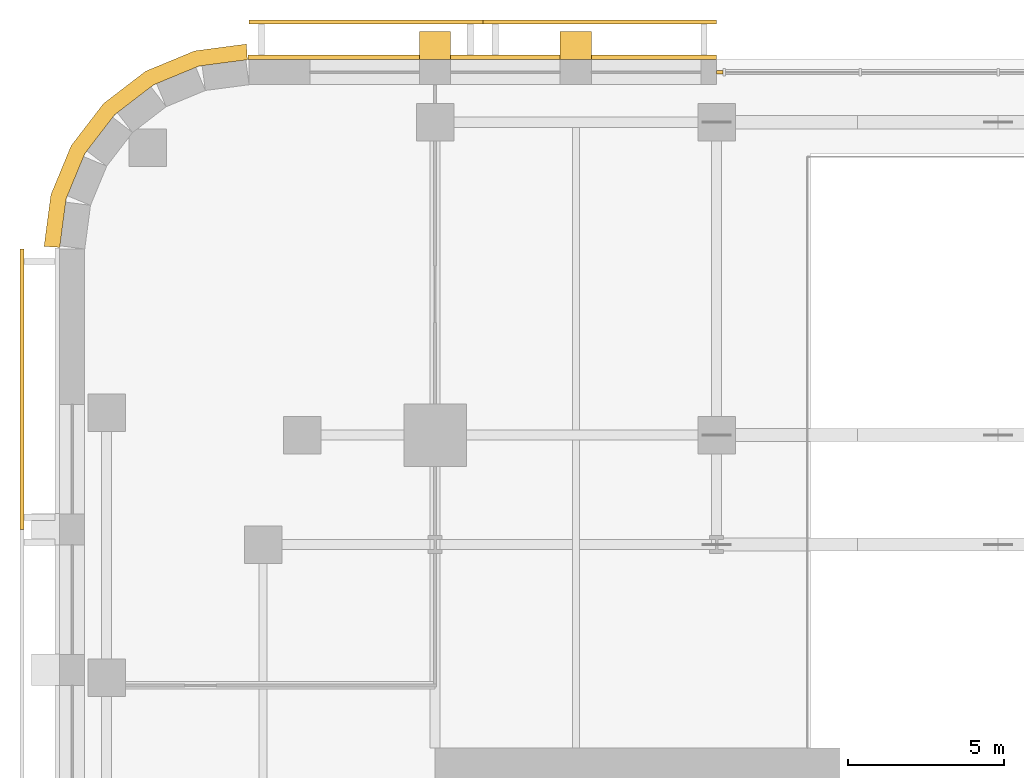
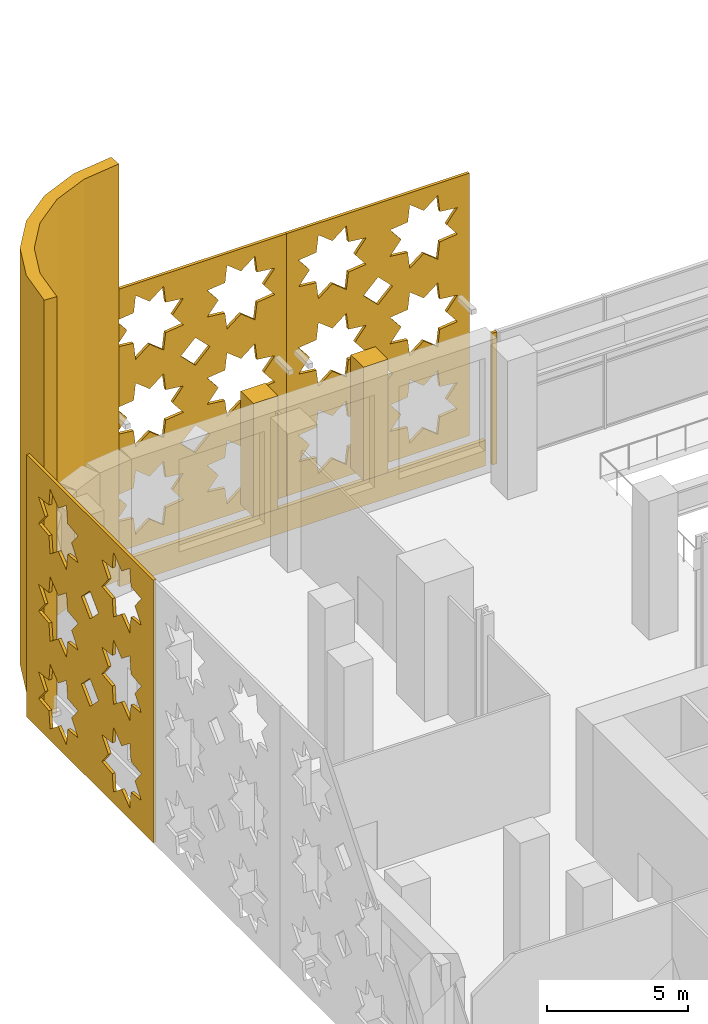
# One storey, part 15 of 17: 8 coverings.
"""IFC4 building model written with IfcOpenShell, lengths in metres."""

import ifcopenshell
import ifcopenshell.guid

model = None  # the IFC model being written
_history = None  # IfcOwnerHistory: only IFC2X3 demands one
_inside = {}  # id of a spatial element -> (the spatial element, [elements in it])
_under = {}  # id of a project, library or spatial element -> (it, [spatial elements below it])
_declared = {}  # id of a project -> (the project, [libraries it declares])
_typed = {}  # id of a type object -> (the type object, [elements of that type])
_made_of = {}  # id of a material, layer set ... -> (it, [elements and type objects made of it])


def new_model(schema):
    """Start an empty IFC model of exactly this schema.

    Asked for "IFC4X3", IfcOpenShell would pick the latest addendum, in which some entities
    have other attributes; the version numbers below select the first issue.
    IFC2X3 requires an IfcOwnerHistory on every rooted entity: one is made here for all.
    """
    global model, _history
    if schema == "IFC4X3":
        model = ifcopenshell.file(schema_version=(4, 3, 0, 0))
    else:
        model = ifcopenshell.file(schema=schema)
    _inside.clear()
    _under.clear()
    _declared.clear()
    _typed.clear()
    _made_of.clear()
    _history = None
    if model.schema == "IFC2X3":
        org = make("IfcOrganization", Name="unknown")
        user = make(
            "IfcPersonAndOrganization",
            ThePerson=make("IfcPerson", FamilyName="unknown"),
            TheOrganization=org,
        )
        app = make(
            "IfcApplication",
            ApplicationDeveloper=org,
            Version="unknown",
            ApplicationFullName="unknown",
            ApplicationIdentifier="unknown",
        )
        _history = make(
            "IfcOwnerHistory",
            OwningUser=user,
            OwningApplication=app,
            ChangeAction="ADDED",
            CreationDate=0,
        )
    return model


def make(cls, **values):
    """One entity of the class cls with the attributes given. An attribute that is None is left unset."""
    return model.create_entity(
        cls, **{name: value for name, value in values.items() if value is not None}
    )


def rooted(cls, **values):
    """An entity with a GlobalId (a new one), such as an element, a storey or a relation."""
    return make(cls, GlobalId=ifcopenshell.guid.new(), OwnerHistory=_history, **values)


def si_unit(unit_type, name, prefix=None):
    """IfcSIUnit, for example si_unit("LENGTHUNIT", "METRE", prefix="MILLI")."""
    return make("IfcSIUnit", UnitType=unit_type, Prefix=prefix, Name=name)


def assignment(units):
    """IfcUnitAssignment: the units of a project."""
    return None if units is None else make("IfcUnitAssignment", Units=units)


def point(xyz):
    """IfcCartesianPoint."""
    return None if xyz is None else make("IfcCartesianPoint", Coordinates=xyz)


def direction(xyz):
    """IfcDirection."""
    return None if xyz is None else make("IfcDirection", DirectionRatios=xyz)


def frame(location, z_axis=None, x_axis=None):
    """IfcAxis2Placement3D, a coordinate frame: its origin and axes. An axis left out is left unset."""
    return make(
        "IfcAxis2Placement3D",
        Location=point(location),
        Axis=direction(z_axis),
        RefDirection=direction(x_axis),
    )


def frame_2d(location, x_axis=None):
    """IfcAxis2Placement2D, a coordinate frame in the plane: its origin and x axis."""
    return make(
        "IfcAxis2Placement2D", Location=point(location), RefDirection=direction(x_axis)
    )


def origin():
    """The frame at (0, 0, 0) with its axes left unset."""
    return frame((0.0, 0.0, 0.0))


def origin_2d():
    """The frame at (0, 0) in the plane with its x axis left unset."""
    return frame_2d((0.0, 0.0))


def place(relative_to, where):
    """IfcLocalPlacement: puts the frame where relative to a parent placement (None: the world)."""
    return make(
        "IfcLocalPlacement", PlacementRelTo=relative_to, RelativePlacement=where
    )


def context(
    kind, dimensions, precision=None, world=None, true_north=None, identifier=None
):
    """IfcGeometricRepresentationContext, for example the 3D "Model" context."""
    return make(
        "IfcGeometricRepresentationContext",
        ContextIdentifier=identifier,
        ContextType=kind,
        CoordinateSpaceDimension=dimensions,
        Precision=precision,
        WorldCoordinateSystem=world,
        TrueNorth=true_north,
    )


def subcontext(parent, identifier, kind, view, scale=None):
    """IfcGeometricRepresentationSubContext, for example "Body" below "Model"."""
    return make(
        "IfcGeometricRepresentationSubContext",
        ContextIdentifier=identifier,
        ContextType=kind,
        ParentContext=parent,
        TargetScale=scale,
        TargetView=view,
    )


def project(units=None, contexts=None):
    """IfcProject with its units and contexts."""
    return rooted(
        "IfcProject",
        Name="project",
        RepresentationContexts=contexts,
        UnitsInContext=assignment(units),
    )


def spatial(cls, under=None, at=None, **own):
    """A site, building, storey or space (cls), placed at a placement, below another one or the project."""
    s = rooted(cls, ObjectPlacement=at, **own)
    if under is not None:
        _under.setdefault(under.id(), (under, []))[1].append(s)
    return s


def polyline(points):
    """IfcPolyline through the points."""
    return make("IfcPolyline", Points=[point(p) for p in points])


def profile(cls, at=None, kind="AREA", **sizes):
    """A parametric profile (cls). Its sizes go by their IFC names, for example OverallWidth=200.0."""
    return make(cls, ProfileType=kind, Position=at, **sizes)


def rectangle(**sizes):
    """IfcRectangleProfileDef."""
    return profile("IfcRectangleProfileDef", **sizes)


def outline(outer, holes=None, kind="AREA"):
    """IfcArbitraryClosedProfileDef: a profile drawn as a closed curve; with holes, ...WithVoids."""
    if holes is None:
        return make("IfcArbitraryClosedProfileDef", ProfileType=kind, OuterCurve=outer)
    return make(
        "IfcArbitraryProfileDefWithVoids",
        ProfileType=kind,
        OuterCurve=outer,
        InnerCurves=holes,
    )


def extrude(swept, where, along, depth):
    """IfcExtrudedAreaSolid: the profile swept, set in the frame where, extruded along a direction by depth."""
    return make(
        "IfcExtrudedAreaSolid",
        SweptArea=swept,
        Position=where,
        ExtrudedDirection=direction(along),
        Depth=depth,
    )


def shape(context_of_items, identifier, shape_type, items):
    """IfcShapeRepresentation: the items that make up one representation, for example the "Body"."""
    return make(
        "IfcShapeRepresentation",
        ContextOfItems=context_of_items,
        RepresentationIdentifier=identifier,
        RepresentationType=shape_type,
        Items=items,
    )


def material(Name=None, Category=None):
    """IfcMaterial."""
    return make("IfcMaterial", Name=Name, Category=Category)


def layer(
    of_material, thickness, ventilated=None, Name=None, Category=None, Priority=None
):
    """IfcMaterialLayer: one layer of a wall or slab, of a material (None: an air gap)."""
    return make(
        "IfcMaterialLayer",
        Material=of_material,
        LayerThickness=thickness,
        IsVentilated=ventilated,
        Name=Name,
        Category=Category,
        Priority=Priority,
    )


def layer_set(layers, Name=None):
    """IfcMaterialLayerSet."""
    return make("IfcMaterialLayerSet", MaterialLayers=layers, LayerSetName=Name)


def made_of(thing, what):
    """Note that an element or type object is made of a material, layer set ...; save() writes the relation."""
    if what is not None:
        _made_of.setdefault(what.id(), (what, []))[1].append(thing)
    return thing


def type_object(cls, material=None, **own):
    """A type object (cls), such as IfcWallType, which elements share."""
    return made_of(rooted(cls, **own), material)


def element(
    cls,
    number,
    at=None,
    inside=None,
    cuts=None,
    type_object=None,
    material=None,
    context=None,
    identifier="Body",
    shape_type=None,
    held_by="IfcProductDefinitionShape",
    body=None,
    shapes=None,
    **own,
):
    """One element of the class cls, such as IfcWall. Its Tag is "e" and its number.

    at: its placement. inside: the storey or other place that contains it. cuts: it is an
    opening in that element (IfcRelVoidsElement). A single representation is given by context,
    identifier, shape_type and body (its items); several are given by shapes. held_by: the class
    of the entity that holds the representations. save() writes the other relations.
    """
    e = rooted(cls, Tag="e%d" % number, ObjectPlacement=at, **own)
    if body is not None:
        shapes = [shape(context, identifier, shape_type, body)]
    if shapes is not None:
        e.Representation = make(held_by, Representations=shapes)
    if inside is not None:
        _inside.setdefault(inside.id(), (inside, []))[1].append(e)
    if cuts is not None:
        rooted(
            "IfcRelVoidsElement", RelatingBuildingElement=cuts, RelatedOpeningElement=e
        )
    if type_object is not None:
        _typed.setdefault(type_object.id(), (type_object, []))[1].append(e)
    return made_of(e, material)


def aggregate(whole, parts):
    """IfcRelAggregates: a whole, such as a stair, and the parts it consists of."""
    return rooted("IfcRelAggregates", RelatingObject=whole, RelatedObjects=parts)


def save(model, path):
    """Write the relations noted so far, then the file.

    IfcRelAggregates (storeys below a building ...), IfcRelContainedInSpatialStructure (elements
    in a storey), IfcRelDefinesByType, IfcRelAssociatesMaterial and IfcRelDeclares: one each for
    every whole, place, type object, material and project.
    """
    for whole, parts in _under.values():
        aggregate(whole, parts)
    for where, things in _inside.values():
        rooted(
            "IfcRelContainedInSpatialStructure",
            RelatedElements=things,
            RelatingStructure=where,
        )
    for kind, things in _typed.values():
        rooted("IfcRelDefinesByType", RelatedObjects=things, RelatingType=kind)
    for what, things in _made_of.values():
        rooted("IfcRelAssociatesMaterial", RelatedObjects=things, RelatingMaterial=what)
    for by, libraries in _declared.values():
        rooted("IfcRelDeclares", RelatingContext=by, RelatedDefinitions=libraries)
    model.write(path)


model = new_model("IFC4")

# Units and contexts
model_context = context("Model", 3, precision=1e-05, world=origin(), true_north=direction((0.0, 1.0)))
body_context = subcontext(model_context, "Body", "Model", "MODEL_VIEW")
ifc_project = project(units=[si_unit("LENGTHUNIT", "METRE"), si_unit("AREAUNIT", "SQUARE_METRE"), si_unit("VOLUMEUNIT", "CUBIC_METRE"), si_unit("PLANEANGLEUNIT", "RADIAN"), si_unit("MASSUNIT", "GRAM", prefix="KILO")], contexts=[model_context])

# Site, building, storey
site_placement = place(None, origin())
site = spatial("IfcSite", under=ifc_project, at=site_placement, CompositionType="ELEMENT")
building_placement = place(site_placement, origin())
building = spatial("IfcBuilding", under=site, at=building_placement, Name="Zellij Exchange Tower", CompositionType="ELEMENT")
storey_placement = place(building_placement, frame((0.0, 0.0, 21.0)))
storey = spatial("IfcBuildingStorey", under=building, at=storey_placement, Name="L03", CompositionType="ELEMENT", Elevation=21.0)

# Coverings
ifc_material_1 = material(Name="Limestone cladding", Category="masonry")
ifc_layer_1 = layer(ifc_material_1, 0.14990234375)
ifc_layer_set_1 = layer_set([ifc_layer_1], Name="Limestone cladding")
covering_type_1 = type_object("IfcCoveringType", Name="ENV-CV1 Stone spandrel band 150", PredefinedType="CLADDING", material=ifc_layer_set_1)
covering_1_placement = place(storey_placement, frame((0.0, 0.0, -0.300048828125)))
element("IfcCovering", 1, at=covering_1_placement, inside=storey, type_object=covering_type_1, Name="Stone spandrel band", PredefinedType="CLADDING", context=body_context, shape_type="SweptSolid", body=[
    extrude(outline(polyline([(-18.0, 20.0), (-32.973876953125, 20.0), (-32.983642578125, 20.14990234375), (-18.0, 20.14990234375), (-18.0, 20.0)])), origin(), (0.0, 0.0, 1.0), 1.10009765625),
])
ifc_layer_2 = layer(ifc_material_1, 0.5)
ifc_layer_set_2 = layer_set([ifc_layer_2], Name="Limestone cladding")
covering_type_2 = type_object("IfcCoveringType", Name="ENV-CV12 Stone corner pier 500", PredefinedType="CLADDING", material=ifc_layer_set_2)
covering_2_placement = place(storey_placement, origin())
element("IfcCovering", 2, at=covering_2_placement, inside=storey, type_object=covering_type_2, Name="Stone corner pier", PredefinedType="CLADDING", context=body_context, shape_type="SweptSolid", body=[
    extrude(outline(polyline([(-33.0, 20.0), (-34.552978515625, 19.795654296875), (-36.0, 19.1962890625), (-37.24267578125, 18.24267578125), (-38.1962890625, 17.0), (-38.795654296875, 15.552978515625), (-39.0, 14.0), (-39.5, 14.03271484375), (-39.28271484375, 15.683349609375), (-38.6328125, 17.252197265625), (-37.59912109375, 18.59912109375), (-36.252197265625, 19.6328125), (-34.683349609375, 20.28271484375), (-33.03271484375, 20.5), (-33.0, 20.0)])), origin(), (0.0, 0.0, 1.0), 18.0),
])
ifc_layer_3 = layer(ifc_material_1, 0.1201171875)
ifc_layer_set_3 = layer_set([ifc_layer_3], Name="Limestone cladding")
covering_type_3 = type_object("IfcCoveringType", Name="ENV-CV18 Glazing closer 120", PredefinedType="CLADDING", material=ifc_layer_set_3)
covering_3_placement = place(storey_placement, frame((-17.89990234375, 19.60009765625, 0.0), z_axis=(0.0, 0.0, 1.0), x_axis=(-1.0, 0.0, 0.0)))
element("IfcCovering", 3, at=covering_3_placement, inside=storey, type_object=covering_type_3, Name="Glazing closer", PredefinedType="CLADDING", context=body_context, shape_type="SweptSolid", body=[
    extrude(rectangle(XDim=0.199951171875, YDim=0.1201171875, at=origin_2d()), origin(), (0.0, 0.0, 1.0), 5.699951171875),
])
covering_type_4 = type_object("IfcCoveringType", Name="ENV-CV2 Stone pier 1000x900", PredefinedType="CLADDING", material=ifc_material_1)
covering_4_placement = place(storey_placement, frame((0.0, 0.0, 0.800048828125)))
element("IfcCovering", 4, at=covering_4_placement, inside=storey, type_object=covering_type_4, Name="Stone pier", PredefinedType="CLADDING", context=body_context, shape_type="SweptSolid", body=[
    extrude(outline(polyline([(-22.0, 20.0), (-23.0, 20.0), (-23.0, 20.89990234375), (-22.0, 20.89990234375), (-22.0, 20.0)])), origin(), (0.0, 0.0, 1.0), 4.89990234375),
])
covering_5_placement = place(storey_placement, frame((0.0, 0.0, 0.800048828125)))
element("IfcCovering", 5, at=covering_5_placement, inside=storey, type_object=covering_type_4, Name="Stone pier", PredefinedType="CLADDING", context=body_context, shape_type="SweptSolid", body=[
    extrude(outline(polyline([(-26.5, 20.0), (-27.5, 20.0), (-27.5, 20.89990234375), (-26.5, 20.89990234375), (-26.5, 20.0)])), origin(), (0.0, 0.0, 1.0), 4.89990234375),
])
ifc_material_2 = material(Name="Limestone screen", Category="masonry")
ifc_layer_4 = layer(ifc_material_2, 0.1201171875)
ifc_layer_set_4 = layer_set([ifc_layer_4], Name="Limestone screen")
covering_type_5 = type_object("IfcCoveringType", Name="ENV-SC1 Pierced stone screen 120", PredefinedType="USERDEFINED", material=ifc_layer_set_4)
covering_6_placement = place(storey_placement, frame((-40.2099609375, 13.947509765625, 0.300048828125), z_axis=(0.0, 0.0, 1.0), x_axis=(0.0, -1.0, 0.0)))
element("IfcCovering", 6, at=covering_6_placement, inside=storey, type_object=covering_type_5, Name="Pierced stone screen", ObjectType="SCREEN", PredefinedType="USERDEFINED", context=body_context, shape_type="SweptSolid", body=[
    extrude(outline(polyline([(0.0, 0.0), (8.973876953125, 0.0), (8.973876953125, 11.35009765625), (0.0, 11.35009765625), (0.0, 0.0)]), holes=[polyline([(3.6416015625, 2.470703125), (2.906982421875, 2.55517578125), (2.822509765625, 3.289794921875), (2.243408203125, 2.829833984375), (1.664306640625, 3.289794921875), (1.580078125, 2.55517578125), (0.84521484375, 2.470703125), (1.30517578125, 1.8916015625), (0.84521484375, 1.3125), (1.580078125, 1.228271484375), (1.664306640625, 0.493408203125), (2.243408203125, 0.953369140625), (2.822509765625, 0.493408203125), (2.906982421875, 1.228271484375), (3.6416015625, 1.3125), (3.181640625, 1.8916015625), (3.6416015625, 2.470703125)]), polyline([(3.6416015625, 6.254150390625), (2.906982421875, 6.33837890625), (2.822509765625, 7.072998046875), (2.243408203125, 6.61328125), (1.664306640625, 7.072998046875), (1.580078125, 6.33837890625), (0.84521484375, 6.254150390625), (1.30517578125, 5.675048828125), (0.84521484375, 5.095947265625), (1.580078125, 5.011474609375), (1.664306640625, 4.27685546875), (2.243408203125, 4.73681640625), (2.822509765625, 4.27685546875), (2.906982421875, 5.011474609375), (3.6416015625, 5.095947265625), (3.181640625, 5.675048828125), (3.6416015625, 6.254150390625)]), polyline([(3.6416015625, 10.03759765625), (2.906982421875, 10.121826171875), (2.822509765625, 10.8564453125), (2.243408203125, 10.396484375), (1.664306640625, 10.8564453125), (1.580078125, 10.121826171875), (0.84521484375, 10.03759765625), (1.30517578125, 9.458251953125), (0.84521484375, 8.879150390625), (1.580078125, 8.794921875), (1.664306640625, 8.060302734375), (2.243408203125, 8.52001953125), (2.822509765625, 8.060302734375), (2.906982421875, 8.794921875), (3.6416015625, 8.879150390625), (3.181640625, 9.458251953125), (3.6416015625, 10.03759765625)]), polyline([(8.12841796875, 2.470703125), (7.393798828125, 2.55517578125), (7.3095703125, 3.289794921875), (6.730224609375, 2.829833984375), (6.151123046875, 3.289794921875), (6.06689453125, 2.55517578125), (5.332275390625, 2.470703125), (5.7919921875, 1.8916015625), (5.332275390625, 1.3125), (6.06689453125, 1.228271484375), (6.151123046875, 0.493408203125), (6.730224609375, 0.953369140625), (7.3095703125, 0.493408203125), (7.393798828125, 1.228271484375), (8.12841796875, 1.3125), (7.668701171875, 1.8916015625), (8.12841796875, 2.470703125)]), polyline([(8.12841796875, 6.254150390625), (7.393798828125, 6.33837890625), (7.3095703125, 7.072998046875), (6.730224609375, 6.61328125), (6.151123046875, 7.072998046875), (6.06689453125, 6.33837890625), (5.332275390625, 6.254150390625), (5.7919921875, 5.675048828125), (5.332275390625, 5.095947265625), (6.06689453125, 5.011474609375), (6.151123046875, 4.27685546875), (6.730224609375, 4.73681640625), (7.3095703125, 4.27685546875), (7.393798828125, 5.011474609375), (8.12841796875, 5.095947265625), (7.668701171875, 5.675048828125), (8.12841796875, 6.254150390625)]), polyline([(8.12841796875, 10.03759765625), (7.393798828125, 10.121826171875), (7.3095703125, 10.8564453125), (6.730224609375, 10.396484375), (6.151123046875, 10.8564453125), (6.06689453125, 10.121826171875), (5.332275390625, 10.03759765625), (5.7919921875, 9.458251953125), (5.332275390625, 8.879150390625), (6.06689453125, 8.794921875), (6.151123046875, 8.060302734375), (6.730224609375, 8.52001953125), (7.3095703125, 8.060302734375), (7.393798828125, 8.794921875), (8.12841796875, 8.879150390625), (7.668701171875, 9.458251953125), (8.12841796875, 10.03759765625)]), polyline([(5.09228515625, 3.783203125), (4.48681640625, 4.388671875), (3.881591796875, 3.783203125), (4.48681640625, 3.177978515625), (5.09228515625, 3.783203125)]), polyline([(5.09228515625, 7.566650390625), (4.48681640625, 8.172119140625), (3.881591796875, 7.566650390625), (4.48681640625, 6.961181640625), (5.09228515625, 7.566650390625)])]), frame((0.0, 0.06005859375, 0.0), z_axis=(0.0, -1.0, 0.0), x_axis=(1.0, 0.0, 0.0)), (0.0, 0.0, 1.0), 0.1201171875),
])
covering_7_placement = place(storey_placement, frame((-18.0, 21.2099609375, 0.300048828125), z_axis=(0.0, 0.0, 1.0), x_axis=(-1.0, 0.0, 0.0)))
element("IfcCovering", 7, at=covering_7_placement, inside=storey, type_object=covering_type_5, Name="Pierced stone screen", ObjectType="SCREEN", PredefinedType="USERDEFINED", context=body_context, shape_type="SweptSolid", body=[
    extrude(outline(polyline([(0.0, 0.0), (7.473876953125, 0.0), (7.473876953125, 11.35009765625), (0.0, 11.35009765625), (0.0, 0.0)]), holes=[polyline([(3.24951171875, 2.463623046875), (2.523681640625, 2.547119140625), (2.4404296875, 3.272705078125), (1.868408203125, 2.818359375), (1.29638671875, 3.272705078125), (1.213134765625, 2.547119140625), (0.487548828125, 2.463623046875), (0.941650390625, 1.8916015625), (0.487548828125, 1.319580078125), (1.213134765625, 1.236328125), (1.29638671875, 0.5107421875), (1.868408203125, 0.96484375), (2.4404296875, 0.5107421875), (2.523681640625, 1.236328125), (3.24951171875, 1.319580078125), (2.795166015625, 1.8916015625), (3.24951171875, 2.463623046875)]), polyline([(3.24951171875, 6.2470703125), (2.523681640625, 6.330322265625), (2.4404296875, 7.055908203125), (1.868408203125, 6.601806640625), (1.29638671875, 7.055908203125), (1.213134765625, 6.330322265625), (0.487548828125, 6.2470703125), (0.941650390625, 5.675048828125), (0.487548828125, 5.10302734375), (1.213134765625, 5.019775390625), (1.29638671875, 4.2939453125), (1.868408203125, 4.748291015625), (2.4404296875, 4.2939453125), (2.523681640625, 5.019775390625), (3.24951171875, 5.10302734375), (2.795166015625, 5.675048828125), (3.24951171875, 6.2470703125)]), polyline([(3.24951171875, 10.030517578125), (2.523681640625, 10.113525390625), (2.4404296875, 10.83935546875), (1.868408203125, 10.385009765625), (1.29638671875, 10.83935546875), (1.213134765625, 10.113525390625), (0.487548828125, 10.030517578125), (0.941650390625, 9.458251953125), (0.487548828125, 8.88623046875), (1.213134765625, 8.802978515625), (1.29638671875, 8.077392578125), (1.868408203125, 8.531494140625), (2.4404296875, 8.077392578125), (2.523681640625, 8.802978515625), (3.24951171875, 8.88623046875), (2.795166015625, 9.458251953125), (3.24951171875, 10.030517578125)]), polyline([(6.986328125, 2.463623046875), (6.2607421875, 2.547119140625), (6.177490234375, 3.272705078125), (5.605224609375, 2.818359375), (5.033203125, 3.272705078125), (4.949951171875, 2.547119140625), (4.224365234375, 2.463623046875), (4.6787109375, 1.8916015625), (4.224365234375, 1.319580078125), (4.949951171875, 1.236328125), (5.033203125, 0.5107421875), (5.605224609375, 0.96484375), (6.177490234375, 0.5107421875), (6.2607421875, 1.236328125), (6.986328125, 1.319580078125), (6.531982421875, 1.8916015625), (6.986328125, 2.463623046875)]), polyline([(6.986328125, 6.2470703125), (6.2607421875, 6.330322265625), (6.177490234375, 7.055908203125), (5.605224609375, 6.601806640625), (5.033203125, 7.055908203125), (4.949951171875, 6.330322265625), (4.224365234375, 6.2470703125), (4.6787109375, 5.675048828125), (4.224365234375, 5.10302734375), (4.949951171875, 5.019775390625), (5.033203125, 4.2939453125), (5.605224609375, 4.748291015625), (6.177490234375, 4.2939453125), (6.2607421875, 5.019775390625), (6.986328125, 5.10302734375), (6.531982421875, 5.675048828125), (6.986328125, 6.2470703125)]), polyline([(6.986328125, 10.030517578125), (6.2607421875, 10.113525390625), (6.177490234375, 10.83935546875), (5.605224609375, 10.385009765625), (5.033203125, 10.83935546875), (4.949951171875, 10.113525390625), (4.224365234375, 10.030517578125), (4.6787109375, 9.458251953125), (4.224365234375, 8.88623046875), (4.949951171875, 8.802978515625), (5.033203125, 8.077392578125), (5.605224609375, 8.531494140625), (6.177490234375, 8.077392578125), (6.2607421875, 8.802978515625), (6.986328125, 8.88623046875), (6.531982421875, 9.458251953125), (6.986328125, 10.030517578125)]), polyline([(4.334716796875, 3.783203125), (3.73681640625, 4.381103515625), (3.138916015625, 3.783203125), (3.73681640625, 3.185302734375), (4.334716796875, 3.783203125)]), polyline([(4.334716796875, 7.566650390625), (3.73681640625, 8.16455078125), (3.138916015625, 7.566650390625), (3.73681640625, 6.96875), (4.334716796875, 7.566650390625)])]), frame((0.0, 0.06005859375, 0.0), z_axis=(0.0, -1.0, 0.0), x_axis=(1.0, 0.0, 0.0)), (0.0, 0.0, 1.0), 0.1201171875),
])
covering_8_placement = place(storey_placement, frame((-25.473876953125, 21.2099609375, 0.300048828125), z_axis=(0.0, 0.0, 1.0), x_axis=(-1.0, 0.0, 0.0)))
element("IfcCovering", 8, at=covering_8_placement, inside=storey, type_object=covering_type_5, Name="Pierced stone screen", ObjectType="SCREEN", PredefinedType="USERDEFINED", context=body_context, shape_type="SweptSolid", body=[
    extrude(outline(polyline([(0.0, 0.0), (7.473876953125, 0.0), (7.473876953125, 11.35009765625), (0.0, 11.35009765625), (0.0, 0.0)]), holes=[polyline([(3.24951171875, 2.463623046875), (2.523681640625, 2.547119140625), (2.4404296875, 3.272705078125), (1.868408203125, 2.818359375), (1.29638671875, 3.272705078125), (1.213134765625, 2.547119140625), (0.487548828125, 2.463623046875), (0.941650390625, 1.8916015625), (0.487548828125, 1.319580078125), (1.213134765625, 1.236328125), (1.29638671875, 0.5107421875), (1.868408203125, 0.96484375), (2.4404296875, 0.5107421875), (2.523681640625, 1.236328125), (3.24951171875, 1.319580078125), (2.795166015625, 1.8916015625), (3.24951171875, 2.463623046875)]), polyline([(3.24951171875, 6.2470703125), (2.523681640625, 6.330322265625), (2.4404296875, 7.055908203125), (1.868408203125, 6.601806640625), (1.29638671875, 7.055908203125), (1.213134765625, 6.330322265625), (0.487548828125, 6.2470703125), (0.941650390625, 5.675048828125), (0.487548828125, 5.10302734375), (1.213134765625, 5.019775390625), (1.29638671875, 4.2939453125), (1.868408203125, 4.748291015625), (2.4404296875, 4.2939453125), (2.523681640625, 5.019775390625), (3.24951171875, 5.10302734375), (2.795166015625, 5.675048828125), (3.24951171875, 6.2470703125)]), polyline([(3.24951171875, 10.030517578125), (2.523681640625, 10.113525390625), (2.4404296875, 10.83935546875), (1.868408203125, 10.385009765625), (1.29638671875, 10.83935546875), (1.213134765625, 10.113525390625), (0.487548828125, 10.030517578125), (0.941650390625, 9.458251953125), (0.487548828125, 8.88623046875), (1.213134765625, 8.802978515625), (1.29638671875, 8.077392578125), (1.868408203125, 8.531494140625), (2.4404296875, 8.077392578125), (2.523681640625, 8.802978515625), (3.24951171875, 8.88623046875), (2.795166015625, 9.458251953125), (3.24951171875, 10.030517578125)]), polyline([(6.986328125, 2.463623046875), (6.2607421875, 2.547119140625), (6.177490234375, 3.272705078125), (5.605224609375, 2.818359375), (5.033203125, 3.272705078125), (4.949951171875, 2.547119140625), (4.224365234375, 2.463623046875), (4.6787109375, 1.8916015625), (4.224365234375, 1.319580078125), (4.949951171875, 1.236328125), (5.033203125, 0.5107421875), (5.605224609375, 0.96484375), (6.177490234375, 0.5107421875), (6.2607421875, 1.236328125), (6.986328125, 1.319580078125), (6.531982421875, 1.8916015625), (6.986328125, 2.463623046875)]), polyline([(6.986328125, 6.2470703125), (6.2607421875, 6.330322265625), (6.177490234375, 7.055908203125), (5.605224609375, 6.601806640625), (5.033203125, 7.055908203125), (4.949951171875, 6.330322265625), (4.224365234375, 6.2470703125), (4.6787109375, 5.675048828125), (4.224365234375, 5.10302734375), (4.949951171875, 5.019775390625), (5.033203125, 4.2939453125), (5.605224609375, 4.748291015625), (6.177490234375, 4.2939453125), (6.2607421875, 5.019775390625), (6.986328125, 5.10302734375), (6.531982421875, 5.675048828125), (6.986328125, 6.2470703125)]), polyline([(6.986328125, 10.030517578125), (6.2607421875, 10.113525390625), (6.177490234375, 10.83935546875), (5.605224609375, 10.385009765625), (5.033203125, 10.83935546875), (4.949951171875, 10.113525390625), (4.224365234375, 10.030517578125), (4.6787109375, 9.458251953125), (4.224365234375, 8.88623046875), (4.949951171875, 8.802978515625), (5.033203125, 8.077392578125), (5.605224609375, 8.531494140625), (6.177490234375, 8.077392578125), (6.2607421875, 8.802978515625), (6.986328125, 8.88623046875), (6.531982421875, 9.458251953125), (6.986328125, 10.030517578125)]), polyline([(4.334716796875, 3.783203125), (3.73681640625, 4.381103515625), (3.138916015625, 3.783203125), (3.73681640625, 3.185302734375), (4.334716796875, 3.783203125)]), polyline([(4.334716796875, 7.566650390625), (3.73681640625, 8.16455078125), (3.138916015625, 7.566650390625), (3.73681640625, 6.96875), (4.334716796875, 7.566650390625)])]), frame((0.0, 0.06005859375, 0.0), z_axis=(0.0, -1.0, 0.0), x_axis=(1.0, 0.0, 0.0)), (0.0, 0.0, 1.0), 0.1201171875),
])

save(model, "model.ifc")
